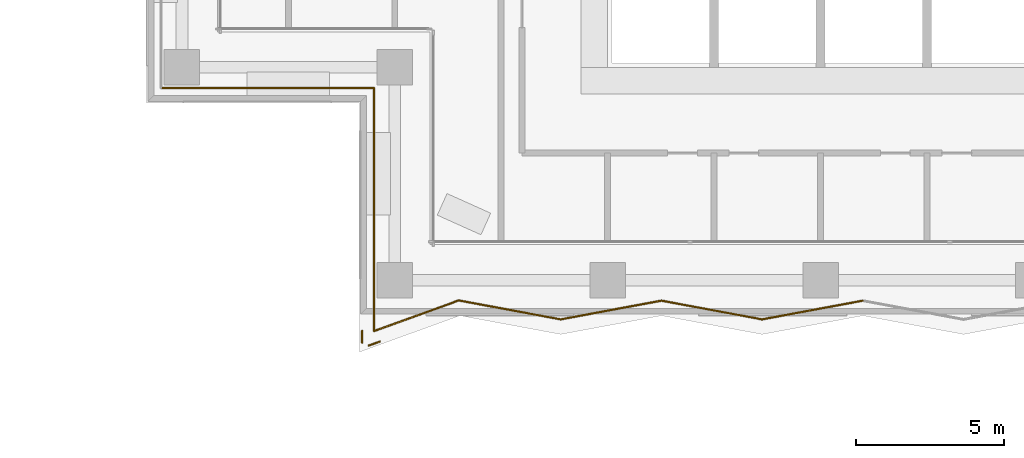
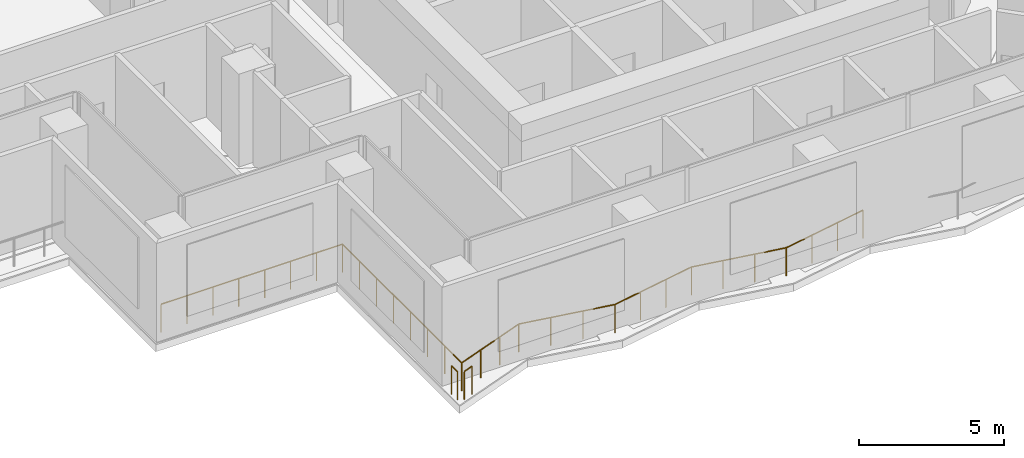
# One storey, part 18 of 24: 9 railings.
"""IFC4 building model written with IfcOpenShell, lengths in metres."""

from ifc_helpers import new_model, si_unit, direction, frame, origin, origin_2d, place, context, subcontext, project, spatial, circle, extrude, material, type_object, element, save


model = new_model("IFC4")

# Units and contexts
model_context = context("Model", 3, precision=1e-05, world=origin(), true_north=direction((0.0, 1.0)))
body_context = subcontext(model_context, "Body", "Model", "MODEL_VIEW")
ifc_project = project(units=[si_unit("LENGTHUNIT", "METRE"), si_unit("AREAUNIT", "SQUARE_METRE"), si_unit("VOLUMEUNIT", "CUBIC_METRE"), si_unit("PLANEANGLEUNIT", "RADIAN"), si_unit("MASSUNIT", "GRAM", prefix="KILO")], contexts=[model_context])

# Site, building, storey
site_placement = place(None, origin())
site = spatial("IfcSite", under=ifc_project, at=site_placement, CompositionType="ELEMENT")
building_placement = place(site_placement, origin())
building = spatial("IfcBuilding", under=site, at=building_placement, Name="Windrow Commons", CompositionType="ELEMENT")
storey_placement = place(building_placement, frame((0.0, 0.0, 67.8)))
storey = spatial("IfcBuildingStorey", under=building, at=storey_placement, Name="L18", CompositionType="ELEMENT", Elevation=67.8)

# Railings
ifc_material = material(Name="Stainless steel S316 balustrade with toughened glass infill", Category="steel")
railing_type = type_object("IfcRailingType", Name="Terrace guard 1200 podium", PredefinedType="BALUSTRADE", material=ifc_material)
railing_1_placement = place(storey_placement, frame((66.2309, 42.5086, 0.05)))
element("IfcRailing", 1, at=railing_1_placement, inside=storey, type_object=railing_type, Name="Guard TR-L18-1.E10", PredefinedType="BALUSTRADE", context=body_context, shape_type="SweptSolid", body=[
    extrude(circle(Radius=0.025, at=origin_2d()), frame((0.0, 0.0, 1.175), z_axis=(-0.9831669658, -0.1827093798, 0.0), x_axis=(0.1827093798, -0.9831669658, 0.0)), (0.0, 0.0, 1.0), 3.4645),
    extrude(circle(Radius=0.02, at=origin_2d()), origin(), (0.0, 0.0, 1.0), 1.15),
    extrude(circle(Radius=0.02, at=origin_2d()), frame((-1.1354, -0.211, 0.0)), (0.0, 0.0, 1.0), 1.15),
    extrude(circle(Radius=0.02, at=origin_2d()), frame((-2.2708, -0.422, 0.0)), (0.0, 0.0, 1.0), 1.15),
    extrude(circle(Radius=0.02, at=origin_2d()), frame((-3.4062, -0.633, 0.0)), (0.0, 0.0, 1.0), 1.15),
])
railing_2_placement = place(storey_placement, frame((62.8247, 41.8756, 0.05)))
element("IfcRailing", 2, at=railing_2_placement, inside=storey, type_object=railing_type, Name="Guard TR-L18-1.E11", PredefinedType="BALUSTRADE", context=body_context, shape_type="SweptSolid", body=[
    extrude(circle(Radius=0.025, at=origin_2d()), frame((0.0, 0.0, 1.175), z_axis=(-0.9831669658, 0.1827093798, 0.0), x_axis=(-0.1827093798, -0.9831669658, 0.0)), (0.0, 0.0, 1.0), 3.4645),
    extrude(circle(Radius=0.02, at=origin_2d()), origin(), (0.0, 0.0, 1.0), 1.15),
    extrude(circle(Radius=0.02, at=origin_2d()), frame((-1.1354, 0.211, 0.0)), (0.0, 0.0, 1.0), 1.15),
    extrude(circle(Radius=0.02, at=origin_2d()), frame((-2.2708, 0.422, 0.0)), (0.0, 0.0, 1.0), 1.15),
    extrude(circle(Radius=0.02, at=origin_2d()), frame((-3.4062, 0.633, 0.0)), (0.0, 0.0, 1.0), 1.15),
])
railing_3_placement = place(storey_placement, frame((59.4185, 42.5086, 0.05)))
element("IfcRailing", 3, at=railing_3_placement, inside=storey, type_object=railing_type, Name="Guard TR-L18-1.E12", PredefinedType="BALUSTRADE", context=body_context, shape_type="SweptSolid", body=[
    extrude(circle(Radius=0.025, at=origin_2d()), frame((0.0, 0.0, 1.175), z_axis=(-0.9831660022, -0.1827145649, 0.0), x_axis=(0.1827145649, -0.9831660022, 0.0)), (0.0, 0.0, 1.0), 3.4644),
    extrude(circle(Radius=0.02, at=origin_2d()), origin(), (0.0, 0.0, 1.0), 1.15),
    extrude(circle(Radius=0.02, at=origin_2d()), frame((-1.1354, -0.211, 0.0)), (0.0, 0.0, 1.0), 1.15),
    extrude(circle(Radius=0.02, at=origin_2d()), frame((-2.2707, -0.422, 0.0)), (0.0, 0.0, 1.0), 1.15),
    extrude(circle(Radius=0.02, at=origin_2d()), frame((-3.4061, -0.633, 0.0)), (0.0, 0.0, 1.0), 1.15),
])
railing_4_placement = place(storey_placement, frame((56.0124, 41.8756, 0.05)))
element("IfcRailing", 4, at=railing_4_placement, inside=storey, type_object=railing_type, Name="Guard TR-L18-1.E13", PredefinedType="BALUSTRADE", context=body_context, shape_type="SweptSolid", body=[
    extrude(circle(Radius=0.025, at=origin_2d()), frame((0.0, 0.0, 1.175), z_axis=(-0.9831700861, 0.1826925884, 0.0), x_axis=(-0.1826925884, -0.9831700861, 0.0)), (0.0, 0.0, 1.0), 3.5075),
    extrude(circle(Radius=0.02, at=origin_2d()), origin(), (0.0, 0.0, 1.0), 1.15),
    extrude(circle(Radius=0.02, at=origin_2d()), frame((-1.1495, 0.2136, 0.0)), (0.0, 0.0, 1.0), 1.15),
    extrude(circle(Radius=0.02, at=origin_2d()), frame((-2.299, 0.4272, 0.0)), (0.0, 0.0, 1.0), 1.15),
    extrude(circle(Radius=0.02, at=origin_2d()), frame((-3.4485, 0.6408, 0.0)), (0.0, 0.0, 1.0), 1.15),
])
railing_5_placement = place(storey_placement, frame((52.5639, 42.5164, 0.05)))
element("IfcRailing", 5, at=railing_5_placement, inside=storey, type_object=railing_type, Name="Guard TR-L18-1.E14", PredefinedType="BALUSTRADE", context=body_context, shape_type="SweptSolid", body=[
    extrude(circle(Radius=0.025, at=origin_2d()), frame((0.0, 0.0, 1.175), z_axis=(-0.9402899478, -0.3403745204, 0.0), x_axis=(0.3403745204, -0.9402899478, 0.0)), (0.0, 0.0, 1.0), 3.0458),
    extrude(circle(Radius=0.02, at=origin_2d()), origin(), (0.0, 0.0, 1.0), 1.15),
    extrude(circle(Radius=0.02, at=origin_2d()), frame((-0.9546, -0.3456, 0.0)), (0.0, 0.0, 1.0), 1.15),
    extrude(circle(Radius=0.02, at=origin_2d()), frame((-1.9093, -0.6911, 0.0)), (0.0, 0.0, 1.0), 1.15),
    extrude(circle(Radius=0.02, at=origin_2d()), frame((-2.8639, -1.0367, 0.0)), (0.0, 0.0, 1.0), 1.15),
])
railing_6_placement = place(storey_placement, frame((49.7, 41.4797, 0.05)))
element("IfcRailing", 6, at=railing_6_placement, inside=storey, type_object=railing_type, Name="Guard TR-L18-1.E15", PredefinedType="BALUSTRADE", context=body_context, shape_type="SweptSolid", body=[
    extrude(circle(Radius=0.025, at=origin_2d()), frame((0.0, 0.0, 1.175), z_axis=(0.0, 1.0, 0.0), x_axis=(-1.0, 0.0, 0.0)), (0.0, 0.0, 1.0), 8.2203),
    extrude(circle(Radius=0.02, at=origin_2d()), origin(), (0.0, 0.0, 1.0), 1.15),
    extrude(circle(Radius=0.02, at=origin_2d()), frame((0.0, 1.1743, 0.0)), (0.0, 0.0, 1.0), 1.15),
    extrude(circle(Radius=0.02, at=origin_2d()), frame((0.0, 2.3487, 0.0)), (0.0, 0.0, 1.0), 1.15),
    extrude(circle(Radius=0.02, at=origin_2d()), frame((0.0, 3.523, 0.0)), (0.0, 0.0, 1.0), 1.15),
    extrude(circle(Radius=0.02, at=origin_2d()), frame((0.0, 4.6973, 0.0)), (0.0, 0.0, 1.0), 1.15),
    extrude(circle(Radius=0.02, at=origin_2d()), frame((0.0, 5.8716, 0.0)), (0.0, 0.0, 1.0), 1.15),
    extrude(circle(Radius=0.02, at=origin_2d()), frame((0.0, 7.046, 0.0)), (0.0, 0.0, 1.0), 1.15),
    extrude(circle(Radius=0.02, at=origin_2d()), frame((0.0, 8.2203, 0.0)), (0.0, 0.0, 1.0), 1.15),
])
railing_7_placement = place(storey_placement, frame((49.7, 49.7, 0.05)))
element("IfcRailing", 7, at=railing_7_placement, inside=storey, type_object=railing_type, Name="Guard TR-L18-1.E16", PredefinedType="BALUSTRADE", context=body_context, shape_type="SweptSolid", body=[
    extrude(circle(Radius=0.025, at=origin_2d()), frame((0.0, 0.0, 1.175), z_axis=(-1.0, 0.0, 0.0), x_axis=(0.0, -1.0, 0.0)), (0.0, 0.0, 1.0), 7.2),
    extrude(circle(Radius=0.02, at=origin_2d()), origin(), (0.0, 0.0, 1.0), 1.15),
    extrude(circle(Radius=0.02, at=origin_2d()), frame((-1.0286, 0.0, 0.0)), (0.0, 0.0, 1.0), 1.15),
    extrude(circle(Radius=0.02, at=origin_2d()), frame((-2.0571, 0.0, 0.0)), (0.0, 0.0, 1.0), 1.15),
    extrude(circle(Radius=0.02, at=origin_2d()), frame((-3.0857, 0.0, 0.0)), (0.0, 0.0, 1.0), 1.15),
    extrude(circle(Radius=0.02, at=origin_2d()), frame((-4.1143, 0.0, 0.0)), (0.0, 0.0, 1.0), 1.15),
    extrude(circle(Radius=0.02, at=origin_2d()), frame((-5.1429, 0.0, 0.0)), (0.0, 0.0, 1.0), 1.15),
    extrude(circle(Radius=0.02, at=origin_2d()), frame((-6.1714, 0.0, 0.0)), (0.0, 0.0, 1.0), 1.15),
    extrude(circle(Radius=0.02, at=origin_2d()), frame((-7.2, 0.0, 0.0)), (0.0, 0.0, 1.0), 1.15),
])
railing_8_placement = place(storey_placement, frame((49.8979, 41.126, 0.05)))
element("IfcRailing", 8, at=railing_8_placement, inside=storey, type_object=railing_type, Name="Guard TR-L18-1.C12", PredefinedType="BALUSTRADE", context=body_context, shape_type="SweptSolid", body=[
    extrude(circle(Radius=0.025, at=origin_2d()), frame((0.0, 0.0, 1.175), z_axis=(-0.9402535944, -0.3404749305, 0.0), x_axis=(0.3404749305, -0.9402535944, 0.0)), (0.0, 0.0, 1.0), 0.4053),
    extrude(circle(Radius=0.02, at=origin_2d()), origin(), (0.0, 0.0, 1.0), 1.15),
    extrude(circle(Radius=0.02, at=origin_2d()), frame((-0.3811, -0.138, 0.0)), (0.0, 0.0, 1.0), 1.15),
])
railing_9_placement = place(storey_placement, frame((49.3, 41.0843, 0.05)))
element("IfcRailing", 9, at=railing_9_placement, inside=storey, type_object=railing_type, Name="Guard TR-L18-1.C13", PredefinedType="BALUSTRADE", context=body_context, shape_type="SweptSolid", body=[
    extrude(circle(Radius=0.025, at=origin_2d()), frame((0.0, 0.0, 1.175), z_axis=(0.0, 1.0, 0.0), x_axis=(-1.0, 0.0, 0.0)), (0.0, 0.0, 1.0), 0.4054),
    extrude(circle(Radius=0.02, at=origin_2d()), origin(), (0.0, 0.0, 1.0), 1.15),
    extrude(circle(Radius=0.02, at=origin_2d()), frame((0.0, 0.4054, 0.0)), (0.0, 0.0, 1.0), 1.15),
])

save(model, "model.ifc")
